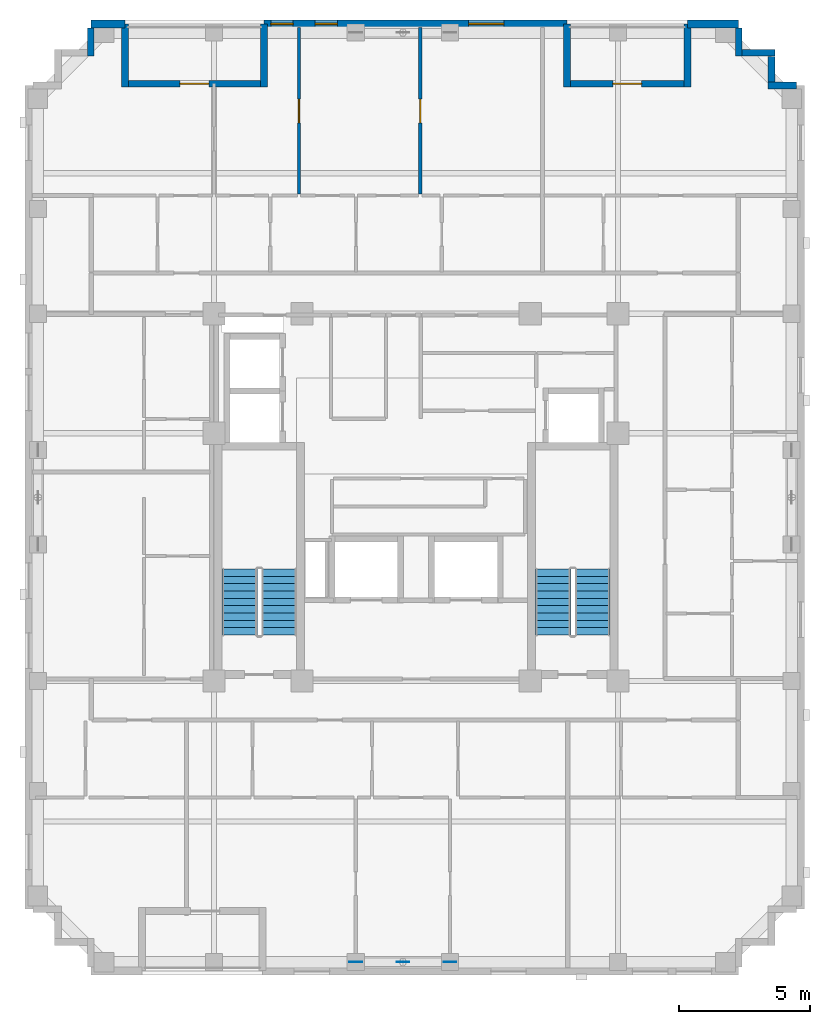
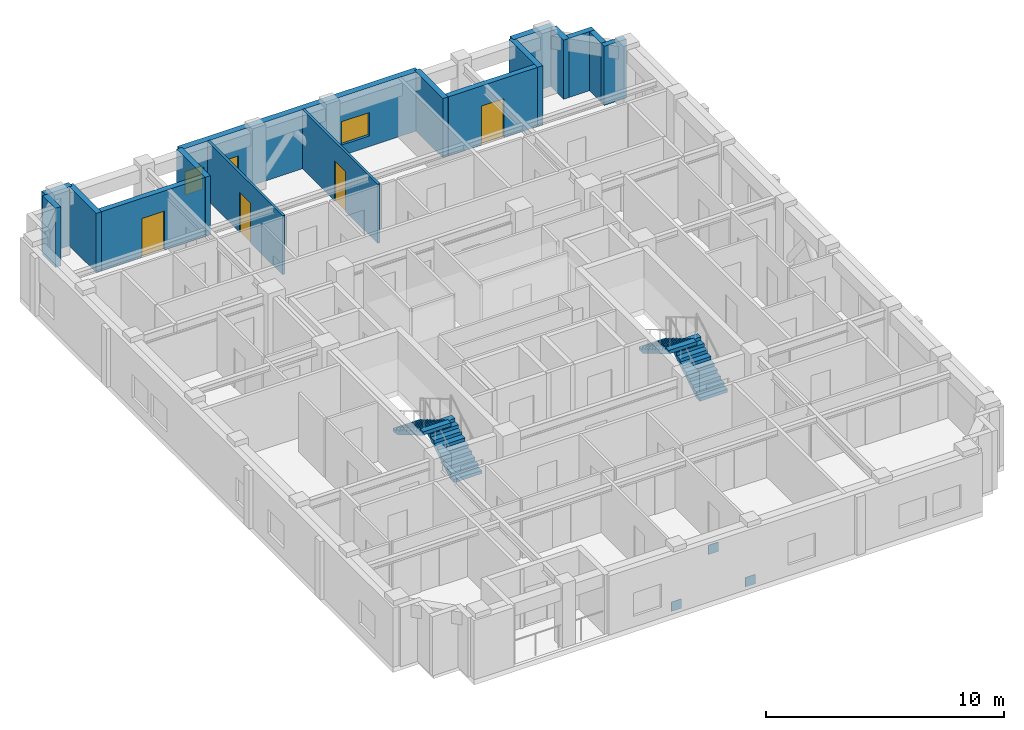
# One storey, part 7 of 10: 16 walls, 4 doors, 4 stair flights, 3 discrete accessories, 3 windows, 7 openings, 2 elements without a shape of their own.
"""IFC4 building model written with IfcOpenShell, lengths in metres."""

from ifc_helpers import new_model, si_unit, derived_unit, direction, frame, frame_2d, origin, origin_2d, place, context, subcontext, project, spatial, polyline, rectangle, outline, extrude, material, layer, layer_set, type_object, element, fill, aggregate, save


model = new_model("IFC4")

# Units and contexts
model_context = context("Model", 3, precision=1e-05, world=origin(), true_north=direction((0.0, 1.0)))
body_context = subcontext(model_context, "Body", "Model", "MODEL_VIEW")
ifc_project = project(units=[si_unit("LENGTHUNIT", "METRE"), si_unit("AREAUNIT", "SQUARE_METRE"), si_unit("VOLUMEUNIT", "CUBIC_METRE"), si_unit("PLANEANGLEUNIT", "RADIAN"), si_unit("MASSUNIT", "GRAM", prefix="KILO"), derived_unit("THERMALTRANSMITTANCEUNIT", [(si_unit("MASSUNIT", "GRAM", prefix="KILO"), 1), (si_unit("TIMEUNIT", "SECOND"), -3), (si_unit("THERMODYNAMICTEMPERATUREUNIT", "KELVIN"), -1)])], contexts=[model_context])

# Site, building, storey
site_placement = place(None, origin())
site = spatial("IfcSite", under=ifc_project, at=site_placement, CompositionType="ELEMENT")
building_placement = place(site_placement, origin())
building = spatial("IfcBuilding", under=site, at=building_placement, Name="Korrvale Station Residences", CompositionType="ELEMENT")
storey_placement = place(building_placement, frame((0.0, 0.0, 200.800048828125)))
storey = spatial("IfcBuildingStorey", under=building, at=storey_placement, Name="L58", CompositionType="ELEMENT", Elevation=200.800048828125)

# Wall
ifc_material_1 = material(Name="Precast concrete C45/55", Category="concrete")
ifc_layer_1 = layer(ifc_material_1, 0.260009765625, Name="Precast concrete C45/55")
ifc_layer_set_1 = layer_set([ifc_layer_1], Name="Precast concrete C45/55")
wall_type_1 = type_object("IfcWallType", Name="WAL-EXT-LOG260", PredefinedType="SOLIDWALL", material=ifc_layer_set_1)
wall_1_placement = place(storey_placement, frame((14.39990234375, 40.0400390625, 0.0), z_axis=(0.0, 0.0, 1.0), x_axis=(0.0, -1.0, 0.0)))
element("IfcWall", 1, at=wall_1_placement, inside=storey, type_object=wall_type_1, Name="L58 Recessed Loggia Wall BAL-L58-N2-L", PredefinedType="SOLIDWALL", context=body_context, shape_type="SweptSolid", body=[
    extrude(rectangle(XDim=2.400146484375, YDim=0.260009765625, at=frame_2d((1.2001953125, 0.0))), origin(), (0.0, 0.0, 1.0), 3.0400390625),
])

# Wall, opening, door
wall_2_placement = place(storey_placement, frame((14.533935546875, 37.77001953125, 0.0), z_axis=(0.0, 0.0, 1.0), x_axis=(1.0, 0.0, 0.0)))
wall_2 = element("IfcWall", 2, at=wall_2_placement, inside=storey, type_object=wall_type_1, Name="L58 Recessed Loggia Wall BAL-L58-N2-B", PredefinedType="SOLIDWALL", context=body_context, shape_type="SweptSolid", body=[
    extrude(rectangle(XDim=5.031982421875, YDim=0.260009765625, at=frame_2d((2.51611328125, 0.0))), origin(), (0.0, 0.0, 1.0), 3.0400390625),
])
opening_1_placement = place(wall_2_placement, frame((1.966064453125, 0.0, 0.0)))
opening_1 = element("IfcOpeningElement", 3, at=opening_1_placement, cuts=wall_2, Name="Opening BD-01", PredefinedType="OPENING", context=body_context, shape_type="SweptSolid", body=[
    extrude(rectangle(XDim=1.10009765625, YDim=2.0, at=frame_2d((0.550048828125, 1.0))), frame((0.0, 0.14013671875, 0.0), z_axis=(0.0, -1.0, 0.0), x_axis=(1.0, 0.0, 0.0)), (0.0, 0.0, 1.0), 0.280029296875),
])
ifc_material_2 = material(Name="Exterior thermally broken aluminium glazed balcony door", Category="aluminium")
door_type_1 = type_object("IfcDoorType", Name="DR-EXT-BAL", OperationType="NOTDEFINED", PredefinedType="DOOR", material=ifc_material_2)
door_1_placement = place(opening_1_placement, origin())
door_1 = element("IfcDoor", 4, at=door_1_placement, inside=storey, type_object=door_type_1, Name="L58 Loggia Balcony Door BAL-L58-N2", OperationType="SINGLE_SWING_LEFT", OverallHeight=2.0, OverallWidth=1.10009765625, PredefinedType="DOOR", context=body_context, shape_type="SweptSolid", body=[
    extrude(rectangle(XDim=1.10009765625, YDim=2.0, at=frame_2d((0.550048828125, 1.0))), frame((0.0, 0.02490234375, 0.0), z_axis=(0.0, -1.0, 0.0), x_axis=(1.0, 0.0, 0.0)), (0.0, 0.0, 1.0), 0.050048828125),
])
fill(opening_1, door_1)

# Walls
for number, where, z_axis, x_axis, name in (
    (5, (19.699951171875, 37.639892578125, 0.0), (0.0, 0.0, 1.0), (0.0, 1.0, 0.0), "L58 Recessed Loggia Wall BAL-L58-N2-R"),
    (6, (31.25, 40.0400390625, 0.0), (0.0, 0.0, 1.0), (0.0, -1.0, 0.0), "L58 Recessed Loggia Wall BAL-L58-N1-L"),
):
    element("IfcWall", number, at=place(storey_placement, frame(where, z_axis=z_axis, x_axis=x_axis)), inside=storey, type_object=wall_type_1, Name=name, PredefinedType="SOLIDWALL", context=body_context, shape_type="SweptSolid", body=[
        extrude(rectangle(XDim=2.400146484375, YDim=0.260009765625, at=frame_2d((1.2001953125, 0.0))), origin(), (0.0, 0.0, 1.0), 3.0400390625),
    ])

# Wall, opening, door
wall_3_placement = place(storey_placement, frame((31.384033203125, 37.77001953125, 0.0), z_axis=(0.0, 0.0, 1.0), x_axis=(1.0, 0.0, 0.0)))
wall_3 = element("IfcWall", 7, at=wall_3_placement, inside=storey, type_object=wall_type_1, Name="L58 Recessed Loggia Wall BAL-L58-N1-B", PredefinedType="SOLIDWALL", context=body_context, shape_type="SweptSolid", body=[
    extrude(rectangle(XDim=4.33203125, YDim=0.260009765625, at=frame_2d((2.166015625, 0.0))), origin(), (0.0, 0.0, 1.0), 3.0400390625),
])
opening_2_placement = place(wall_3_placement, frame((1.615966796875, 0.0, 0.0)))
opening_2 = element("IfcOpeningElement", 8, at=opening_2_placement, cuts=wall_3, Name="Opening BD-01", PredefinedType="OPENING", context=body_context, shape_type="SweptSolid", body=[
    extrude(rectangle(XDim=1.10009765625, YDim=2.0, at=frame_2d((0.550048828125, 1.0))), frame((0.0, 0.14013671875, 0.0), z_axis=(0.0, -1.0, 0.0), x_axis=(1.0, 0.0, 0.0)), (0.0, 0.0, 1.0), 0.280029296875),
])
door_2_placement = place(opening_2_placement, origin())
door_2 = element("IfcDoor", 9, at=door_2_placement, inside=storey, type_object=door_type_1, Name="L58 Loggia Balcony Door BAL-L58-N1", OperationType="SINGLE_SWING_RIGHT", OverallHeight=2.0, OverallWidth=1.10009765625, PredefinedType="DOOR", context=body_context, shape_type="SweptSolid", body=[
    extrude(rectangle(XDim=1.10009765625, YDim=2.0, at=frame_2d((0.550048828125, 1.0))), frame((0.0, 0.02490234375, 0.0), z_axis=(0.0, -1.0, 0.0), x_axis=(1.0, 0.0, 0.0)), (0.0, 0.0, 1.0), 0.050048828125),
])
fill(opening_2, door_2)

# Walls
wall_4_placement = place(storey_placement, frame((35.85009765625, 37.639892578125, 0.0), z_axis=(0.0, 0.0, 1.0), x_axis=(0.0, 1.0, 0.0)))
element("IfcWall", 10, at=wall_4_placement, inside=storey, type_object=wall_type_1, Name="L58 Recessed Loggia Wall BAL-L58-N1-R", PredefinedType="SOLIDWALL", context=body_context, shape_type="SweptSolid", body=[
    extrude(rectangle(XDim=2.400146484375, YDim=0.260009765625, at=frame_2d((1.2001953125, 0.0))), origin(), (0.0, 0.0, 1.0), 3.0400390625),
])
for number, where, z_axis, x_axis, name in (
    (11, (13.10009765625, 38.820068359375, 0.0), (0.0, 0.0, 1.0), (0.0, 1.0, 0.0), "L58 Serrated Corner Precast Step NW-4"),
    (12, (37.800048828125, 39.89794921875, 0.0), (0.0, 0.0, 1.0), (0.0, -1.0, 0.0), "L58 Serrated Corner Precast Step NE-1"),
):
    element("IfcWall", number, at=place(storey_placement, frame(where, z_axis=z_axis, x_axis=x_axis)), inside=storey, type_object=wall_type_1, Name=name, PredefinedType="SOLIDWALL", context=body_context, shape_type="SweptSolid", body=[
        extrude(rectangle(XDim=1.077880859375, YDim=0.260009765625, at=frame_2d((0.5390625, 0.0))), origin(), (0.0, 0.0, 1.0), 3.0400390625),
    ])
wall_5_placement = place(storey_placement, frame((37.931884765625, 38.949951171875, 0.0), z_axis=(0.0, 0.0, 1.0), x_axis=(1.0, 0.0, 0.0)))
element("IfcWall", 13, at=wall_5_placement, inside=storey, type_object=wall_type_1, Name="L58 Serrated Corner Precast Step NE-2", PredefinedType="SOLIDWALL", context=body_context, shape_type="SweptSolid", body=[
    extrude(rectangle(XDim=1.248046875, YDim=0.260009765625, at=frame_2d((0.6240234375, 0.0))), origin(), (0.0, 0.0, 1.0), 3.0400390625),
])
wall_6_placement = place(storey_placement, frame((39.050048828125, 38.818115234375, 0.0), z_axis=(0.0, 0.0, 1.0), x_axis=(0.0, -1.0, 0.0)))
element("IfcWall", 14, at=wall_6_placement, inside=storey, type_object=wall_type_1, Name="L58 Serrated Corner Precast Step NE-3", PredefinedType="SOLIDWALL", context=body_context, shape_type="SweptSolid", body=[
    extrude(rectangle(XDim=0.986083984375, YDim=0.260009765625, at=frame_2d((0.4931640625, 0.0))), origin(), (0.0, 0.0, 1.0), 3.0400390625),
])
wall_7_placement = place(storey_placement, frame((38.919921875, 37.699951171875, 0.0), z_axis=(0.0, 0.0, 1.0), x_axis=(1.0, 0.0, 0.0)))
element("IfcWall", 15, at=wall_7_placement, inside=storey, type_object=wall_type_1, Name="L58 Serrated Corner Precast Step NE-4", PredefinedType="SOLIDWALL", context=body_context, shape_type="SweptSolid", body=[
    extrude(rectangle(XDim=1.078125, YDim=0.260009765625, at=frame_2d((0.5390625, 0.0))), origin(), (0.0, 0.0, 1.0), 3.0400390625),
])
ifc_layer_2 = layer(ifc_material_1, 0.300048828125, Name="Precast concrete C45/55")
ifc_layer_set_2 = layer_set([ifc_layer_2], Name="Precast concrete C45/55")
wall_type_2 = type_object("IfcWallType", Name="WAL-EXT-PC300", PredefinedType="SOLIDWALL", material=ifc_layer_set_2)
wall_8_placement = place(storey_placement, frame((13.10009765625, 40.050048828125, 0.0), z_axis=(0.0, 0.0, 1.0), x_axis=(1.0, 0.0, 0.0)))
element("IfcWall", 16, at=wall_8_placement, inside=storey, type_object=wall_type_2, Name="L58 North Exterior Precast Wall 1", PredefinedType="SOLIDWALL", context=body_context, shape_type="SweptSolid", body=[
    extrude(rectangle(XDim=1.2998046875, YDim=0.300048828125, at=frame_2d((0.64990234375, 0.0))), origin(), (0.0, 0.0, 1.0), 3.0400390625),
])

# Wall, openings, windows
wall_9_placement = place(storey_placement, frame((19.699951171875, 40.050048828125, 0.0), z_axis=(0.0, 0.0, 1.0), x_axis=(1.0, 0.0, 0.0)))
wall_9 = element("IfcWall", 17, at=wall_9_placement, inside=storey, type_object=wall_type_2, Name="L58 North Exterior Precast Wall 2", PredefinedType="SOLIDWALL", context=body_context, shape_type="SweptSolid", body=[
    extrude(rectangle(XDim=11.550048828125, YDim=0.300048828125, at=frame_2d((5.77490234375, 0.0))), origin(), (0.0, 0.0, 1.0), 3.0400390625),
])
opening_3_placement = place(wall_9_placement, frame((0.26708984375, 0.0, 0.550048828125)))
opening_3 = element("IfcOpeningElement", 18, at=opening_3_placement, cuts=wall_9, Name="Opening W-11", PredefinedType="OPENING", context=body_context, shape_type="SweptSolid", body=[
    extrude(rectangle(XDim=0.85009765625, YDim=1.199951171875, at=frame_2d((0.425048828125, 0.60009765625))), frame((0.0, 0.16015625, 0.0), z_axis=(0.0, -1.0, 0.0), x_axis=(1.0, 0.0, 0.0)), (0.0, 0.0, 1.0), 0.320068359375),
])
opening_4_placement = place(wall_9_placement, frame((1.949951171875, 0.0, 0.550048828125)))
opening_4 = element("IfcOpeningElement", 19, at=opening_4_placement, cuts=wall_9, Name="Opening W-11", PredefinedType="OPENING", context=body_context, shape_type="SweptSolid", body=[
    extrude(rectangle(XDim=0.85009765625, YDim=1.199951171875, at=frame_2d((0.425048828125, 0.60009765625))), frame((0.0, 0.16015625, 0.0), z_axis=(0.0, -1.0, 0.0), x_axis=(1.0, 0.0, 0.0)), (0.0, 0.0, 1.0), 0.320068359375),
])
opening_5_placement = place(wall_9_placement, frame((7.800048828125, 0.0, 0.550048828125)))
opening_5 = element("IfcOpeningElement", 20, at=opening_5_placement, cuts=wall_9, Name="Opening W-10", PredefinedType="OPENING", context=body_context, shape_type="SweptSolid", body=[
    extrude(rectangle(XDim=1.35009765625, YDim=1.199951171875, at=frame_2d((0.675048828125, 0.60009765625))), frame((0.0, 0.16015625, 0.0), z_axis=(0.0, -1.0, 0.0), x_axis=(1.0, 0.0, 0.0)), (0.0, 0.0, 1.0), 0.320068359375),
])
ifc_material_3 = material(Name="Thermally broken aluminium frame with triple low-e glazing", Category="aluminium")
window_type_1 = type_object("IfcWindowType", Name="WIN-W10", PartitioningType="SINGLE_PANEL", PredefinedType="WINDOW", material=ifc_material_3)
window_1_placement = place(opening_5_placement, origin())
window_1 = element("IfcWindow", 21, at=window_1_placement, inside=storey, type_object=window_type_1, Name="L58 Punched Window 09", OverallHeight=1.199951171875, OverallWidth=1.35009765625, PartitioningType="SINGLE_PANEL", PredefinedType="WINDOW", context=body_context, shape_type="SweptSolid", body=[
    extrude(rectangle(XDim=1.35009765625, YDim=1.199951171875, at=frame_2d((0.675048828125, 0.60009765625))), frame((0.0, 0.030029296875, 0.0), z_axis=(0.0, -1.0, 0.0), x_axis=(1.0, 0.0, 0.0)), (0.0, 0.0, 1.0), 0.06005859375),
])
fill(opening_5, window_1)
window_type_2 = type_object("IfcWindowType", Name="WIN-W11", PartitioningType="SINGLE_PANEL", PredefinedType="WINDOW", material=ifc_material_3)
window_2_placement = place(opening_3_placement, origin())
window_2 = element("IfcWindow", 22, at=window_2_placement, inside=storey, type_object=window_type_2, Name="L58 Punched Window 07", OverallHeight=1.199951171875, OverallWidth=0.85009765625, PartitioningType="SINGLE_PANEL", PredefinedType="WINDOW", context=body_context, shape_type="SweptSolid", body=[
    extrude(rectangle(XDim=0.85009765625, YDim=1.199951171875, at=frame_2d((0.425048828125, 0.60009765625))), frame((0.0, 0.030029296875, 0.0), z_axis=(0.0, -1.0, 0.0), x_axis=(1.0, 0.0, 0.0)), (0.0, 0.0, 1.0), 0.06005859375),
])
fill(opening_3, window_2)
window_3_placement = place(opening_4_placement, origin())
window_3 = element("IfcWindow", 23, at=window_3_placement, inside=storey, type_object=window_type_2, Name="L58 Punched Window 08", OverallHeight=1.199951171875, OverallWidth=0.85009765625, PartitioningType="SINGLE_PANEL", PredefinedType="WINDOW", context=body_context, shape_type="SweptSolid", body=[
    extrude(rectangle(XDim=0.85009765625, YDim=1.199951171875, at=frame_2d((0.425048828125, 0.60009765625))), frame((0.0, 0.030029296875, 0.0), z_axis=(0.0, -1.0, 0.0), x_axis=(1.0, 0.0, 0.0)), (0.0, 0.0, 1.0), 0.06005859375),
])
fill(opening_4, window_3)

# Wall
wall_10_placement = place(storey_placement, frame((35.85009765625, 40.050048828125, 0.0), z_axis=(0.0, 0.0, 1.0), x_axis=(1.0, 0.0, 0.0)))
element("IfcWall", 24, at=wall_10_placement, inside=storey, type_object=wall_type_2, Name="L58 North Exterior Precast Wall 3", PredefinedType="SOLIDWALL", context=body_context, shape_type="SweptSolid", body=[
    extrude(rectangle(XDim=1.949951171875, YDim=0.300048828125, at=frame_2d((0.97509765625, 0.0))), origin(), (0.0, 0.0, 1.0), 3.0400390625),
])

# Wall, opening, door
ifc_material_4 = material(Name="Acoustic steel-stud gypsum board partition", Category="steel")
ifc_layer_3 = layer(ifc_material_4, 0.1201171875, Name="Acoustic steel-stud gypsum board partition")
ifc_layer_set_3 = layer_set([ifc_layer_3], Name="Acoustic steel-stud gypsum board partition")
wall_type_3 = type_object("IfcWallType", Name="WAL-PART-125", PredefinedType="PARTITIONING", material=ifc_layer_set_3)
wall_11_placement = place(storey_placement, frame((21.037109375, 33.570068359375, 0.0), z_axis=(0.0, 0.0, 1.0), x_axis=(0.0, 1.0, 0.0)))
wall_11 = element("IfcWall", 25, at=wall_11_placement, inside=storey, type_object=wall_type_3, Name="L58 Suite Partition U04-V67", PredefinedType="PARTITIONING", context=body_context, shape_type="SweptSolid", body=[
    extrude(rectangle(XDim=6.349853515625, YDim=0.1201171875, at=frame_2d((3.1748046875, 0.0))), origin(), (0.0, 0.0, 1.0), 3.0400390625),
])
opening_6_placement = place(wall_11_placement, frame((2.7099609375, 0.0, 0.0)))
opening_6 = element("IfcOpeningElement", 26, at=opening_6_placement, cuts=wall_11, Name="Opening DI-900", PredefinedType="OPENING", context=body_context, shape_type="SweptSolid", body=[
    extrude(rectangle(XDim=0.89990234375, YDim=2.050048828125, at=frame_2d((0.449951171875, 1.02490234375))), frame((0.0, 0.070068359375, 0.0), z_axis=(0.0, -1.0, 0.0), x_axis=(1.0, 0.0, 0.0)), (0.0, 0.0, 1.0), 0.14013671875),
])
ifc_material_5 = material(Name="Painted solid-core timber interior room door", Category="wood")
door_type_2 = type_object("IfcDoorType", Name="DR-INT-900", OperationType="NOTDEFINED", PredefinedType="DOOR", material=ifc_material_5)
door_3_placement = place(opening_6_placement, origin())
door_3 = element("IfcDoor", 27, at=door_3_placement, inside=storey, type_object=door_type_2, Name="L58 Apartment 2BR L58-U04 Formal Dining Room Door", OperationType="SINGLE_SWING_LEFT", OverallHeight=2.050048828125, OverallWidth=0.89990234375, PredefinedType="DOOR", context=body_context, shape_type="SweptSolid", body=[
    extrude(rectangle(XDim=0.89990234375, YDim=2.050048828125, at=frame_2d((0.449951171875, 1.02490234375))), frame((0.0, 0.02490234375, 0.0), z_axis=(0.0, -1.0, 0.0), x_axis=(1.0, 0.0, 0.0)), (0.0, 0.0, 1.0), 0.050048828125),
])
fill(opening_6, door_3)

wall_12_placement = place(storey_placement, frame((25.656982421875, 33.570068359375, 0.0), z_axis=(0.0, 0.0, 1.0), x_axis=(0.0, 1.0, 0.0)))
wall_12 = element("IfcWall", 28, at=wall_12_placement, inside=storey, type_object=wall_type_3, Name="L58 Suite Partition U04-V78", PredefinedType="PARTITIONING", context=body_context, shape_type="SweptSolid", body=[
    extrude(rectangle(XDim=6.349853515625, YDim=0.1201171875, at=frame_2d((3.1748046875, 0.0))), origin(), (0.0, 0.0, 1.0), 3.0400390625),
])
opening_7_placement = place(wall_12_placement, frame((2.7099609375, 0.0, 0.0)))
opening_7 = element("IfcOpeningElement", 29, at=opening_7_placement, cuts=wall_12, Name="Opening DI-900", PredefinedType="OPENING", context=body_context, shape_type="SweptSolid", body=[
    extrude(rectangle(XDim=0.89990234375, YDim=2.050048828125, at=frame_2d((0.449951171875, 1.02490234375))), frame((0.0, 0.070068359375, 0.0), z_axis=(0.0, -1.0, 0.0), x_axis=(1.0, 0.0, 0.0)), (0.0, 0.0, 1.0), 0.14013671875),
])
door_4_placement = place(opening_7_placement, origin())
door_4 = element("IfcDoor", 30, at=door_4_placement, inside=storey, type_object=door_type_2, Name="L58 Apartment 2BR L58-U04 Bedroom 1 Door", OperationType="SINGLE_SWING_RIGHT", OverallHeight=2.050048828125, OverallWidth=0.89990234375, PredefinedType="DOOR", context=body_context, shape_type="SweptSolid", body=[
    extrude(rectangle(XDim=0.89990234375, YDim=2.050048828125, at=frame_2d((0.449951171875, 1.02490234375))), frame((0.0, 0.02490234375, 0.0), z_axis=(0.0, -1.0, 0.0), x_axis=(1.0, 0.0, 0.0)), (0.0, 0.0, 1.0), 0.050048828125),
])
fill(opening_7, door_4)

# Stair, stair flights
ifc_material_6 = material(Name="Concrete C50/60", Category="concrete")
stair_type = type_object("IfcStairType", Name="STR-DL-1350-20R-1650", PredefinedType="HALF_TURN_STAIR", material=ifc_material_6)
stair_1_placement = place(storey_placement, origin())
stair_1 = element("IfcStair", 31, at=stair_1_placement, inside=storey, type_object=stair_type, Name="L58 Exit Stair 1", PredefinedType="HALF_TURN_STAIR")
stair_flight_type = type_object("IfcStairFlightType", Name="FLT-DL-1350-20R-1650", PredefinedType="STRAIGHT", material=ifc_material_6)
stair_flight_1_placement = place(storey_placement, frame((20.27490234375, 16.75, 0.0), z_axis=(0.0, 0.0, 1.0), x_axis=(0.0, 1.0, 0.0)))
stair_flight_1 = element("IfcStairFlight", 32, at=stair_flight_1_placement, type_object=stair_flight_type, Name="ST-1 flight 1", NumberOfRisers=10, NumberOfTreads=9, PredefinedType="STRAIGHT", RiserHeight=0.165, TreadLength=0.28, context=body_context, shape_type="SweptSolid", body=[
    extrude(outline(polyline([(0.0, 0.0), (0.0, 0.1650390625), (0.280029296875, 0.1650390625), (0.280029296875, 0.330078125), (0.56005859375, 0.330078125), (0.56005859375, 0.4951171875), (0.840087890625, 0.4951171875), (0.840087890625, 0.659912109375), (1.1201171875, 0.659912109375), (1.1201171875, 0.824951171875), (1.39990234375, 0.824951171875), (1.39990234375, 0.989990234375), (1.679931640625, 0.989990234375), (1.679931640625, 1.155029296875), (1.9599609375, 1.155029296875), (1.9599609375, 1.320068359375), (2.239990234375, 1.320068359375), (2.239990234375, 1.485107421875), (2.52001953125, 1.485107421875), (2.52001953125, 1.64990234375), (2.52001953125, 1.31103515625), (0.295166015625, 0.0), (0.0, 0.0)])), frame((0.0, 0.675048828125, 0.0), z_axis=(0.0, -1.0, 0.0), x_axis=(1.0, 0.0, 0.0)), (0.0, 0.0, 1.0), 1.35009765625),
])
stair_flight_2_placement = place(storey_placement, frame((18.77490234375, 19.27001953125, 1.64990234375), z_axis=(0.0, 0.0, 1.0), x_axis=(0.0, -1.0, 0.0)))
stair_flight_2 = element("IfcStairFlight", 33, at=stair_flight_2_placement, type_object=stair_flight_type, Name="ST-1 flight 2", NumberOfRisers=10, NumberOfTreads=9, PredefinedType="STRAIGHT", RiserHeight=0.165, TreadLength=0.28, context=body_context, shape_type="SweptSolid", body=[
    extrude(outline(polyline([(0.0, 0.0), (0.0, 0.1650390625), (0.280029296875, 0.1650390625), (0.280029296875, 0.330078125), (0.56005859375, 0.330078125), (0.56005859375, 0.4951171875), (0.840087890625, 0.4951171875), (0.840087890625, 0.659912109375), (1.1201171875, 0.659912109375), (1.1201171875, 0.824951171875), (1.39990234375, 0.824951171875), (1.39990234375, 0.989990234375), (1.679931640625, 0.989990234375), (1.679931640625, 1.155029296875), (1.9599609375, 1.155029296875), (1.9599609375, 1.320068359375), (2.239990234375, 1.320068359375), (2.239990234375, 1.485107421875), (2.52001953125, 1.485107421875), (2.52001953125, 1.64990234375), (2.52001953125, 1.31103515625), (0.295166015625, 0.0), (0.0, 0.0)])), frame((0.0, 0.675048828125, 0.0), z_axis=(0.0, -1.0, 0.0), x_axis=(1.0, 0.0, 0.0)), (0.0, 0.0, 1.0), 1.35009765625),
])
aggregate(stair_1, [stair_flight_1, stair_flight_2])

stair_2_placement = place(storey_placement, origin())
stair_2 = element("IfcStair", 34, at=stair_2_placement, inside=storey, type_object=stair_type, Name="L58 Exit Stair 2", PredefinedType="HALF_TURN_STAIR")
stair_flight_3_placement = place(storey_placement, frame((32.22509765625, 16.75, 0.0), z_axis=(0.0, 0.0, 1.0), x_axis=(0.0, 1.0, 0.0)))
stair_flight_3 = element("IfcStairFlight", 35, at=stair_flight_3_placement, type_object=stair_flight_type, Name="ST-2 flight 1", NumberOfRisers=10, NumberOfTreads=9, PredefinedType="STRAIGHT", RiserHeight=0.165, TreadLength=0.28, context=body_context, shape_type="SweptSolid", body=[
    extrude(outline(polyline([(0.0, 0.0), (0.0, 0.1650390625), (0.280029296875, 0.1650390625), (0.280029296875, 0.330078125), (0.56005859375, 0.330078125), (0.56005859375, 0.4951171875), (0.840087890625, 0.4951171875), (0.840087890625, 0.659912109375), (1.1201171875, 0.659912109375), (1.1201171875, 0.824951171875), (1.39990234375, 0.824951171875), (1.39990234375, 0.989990234375), (1.679931640625, 0.989990234375), (1.679931640625, 1.155029296875), (1.9599609375, 1.155029296875), (1.9599609375, 1.320068359375), (2.239990234375, 1.320068359375), (2.239990234375, 1.485107421875), (2.52001953125, 1.485107421875), (2.52001953125, 1.64990234375), (2.52001953125, 1.31103515625), (0.295166015625, 0.0), (0.0, 0.0)])), frame((0.0, 0.675048828125, 0.0), z_axis=(0.0, -1.0, 0.0), x_axis=(1.0, 0.0, 0.0)), (0.0, 0.0, 1.0), 1.35009765625),
])
stair_flight_4_placement = place(storey_placement, frame((30.72509765625, 19.27001953125, 1.64990234375), z_axis=(0.0, 0.0, 1.0), x_axis=(0.0, -1.0, 0.0)))
stair_flight_4 = element("IfcStairFlight", 36, at=stair_flight_4_placement, type_object=stair_flight_type, Name="ST-2 flight 2", NumberOfRisers=10, NumberOfTreads=9, PredefinedType="STRAIGHT", RiserHeight=0.165, TreadLength=0.28, context=body_context, shape_type="SweptSolid", body=[
    extrude(outline(polyline([(0.0, 0.0), (0.0, 0.1650390625), (0.280029296875, 0.1650390625), (0.280029296875, 0.330078125), (0.56005859375, 0.330078125), (0.56005859375, 0.4951171875), (0.840087890625, 0.4951171875), (0.840087890625, 0.659912109375), (1.1201171875, 0.659912109375), (1.1201171875, 0.824951171875), (1.39990234375, 0.824951171875), (1.39990234375, 0.989990234375), (1.679931640625, 0.989990234375), (1.679931640625, 1.155029296875), (1.9599609375, 1.155029296875), (1.9599609375, 1.320068359375), (2.239990234375, 1.320068359375), (2.239990234375, 1.485107421875), (2.52001953125, 1.485107421875), (2.52001953125, 1.64990234375), (2.52001953125, 1.31103515625), (0.295166015625, 0.0), (0.0, 0.0)])), frame((0.0, 0.675048828125, 0.0), z_axis=(0.0, -1.0, 0.0), x_axis=(1.0, 0.0, 0.0)), (0.0, 0.0, 1.0), 1.35009765625),
])
aggregate(stair_2, [stair_flight_3, stair_flight_4])

# Discrete accessories
ifc_material_7 = material(Name="Steel S355", Category="steel")
ifc_layer_4 = layer(ifc_material_7, 0.02490234375, Name="Steel S355")
ifc_layer_set_4 = layer_set([ifc_layer_4], Name="Steel S355")
discrete_accessory_type = type_object("IfcDiscreteAccessoryType", Name="ACC-GUSSET-25", PredefinedType="BRACKET", material=ifc_layer_set_4)
for number, where, z_axis, x_axis, name in (
    (37, (23.199951171875, 4.280029296875, -0.219970703125), (0.0, 0.0, 1.0), (1.0, 0.0, 0.0), "L58 S Brace End Gusset Connection A"),
    (38, (26.800048828125, 4.280029296875, -0.219970703125), (0.0, 0.0, 1.0), (1.0, 0.0, 0.0), "L58 S Brace End Gusset Connection B"),
    (39, (25.0, 4.280029296875, 2.070068359375), (0.0, 0.0, 1.0), (1.0, 0.0, 0.0), "L58 S Brace End Gusset Connection M"),
):
    element("IfcDiscreteAccessory", number, at=place(storey_placement, frame(where, z_axis=z_axis, x_axis=x_axis)), inside=storey, type_object=discrete_accessory_type, Name=name, PredefinedType="BRACKET", context=body_context, shape_type="SweptSolid", body=[
        extrude(rectangle(XDim=0.47998046875, YDim=0.02490234375, at=origin_2d()), origin(), (0.0, 0.0, 1.0), 0.47998046875),
    ])

save(model, "model.ifc")
